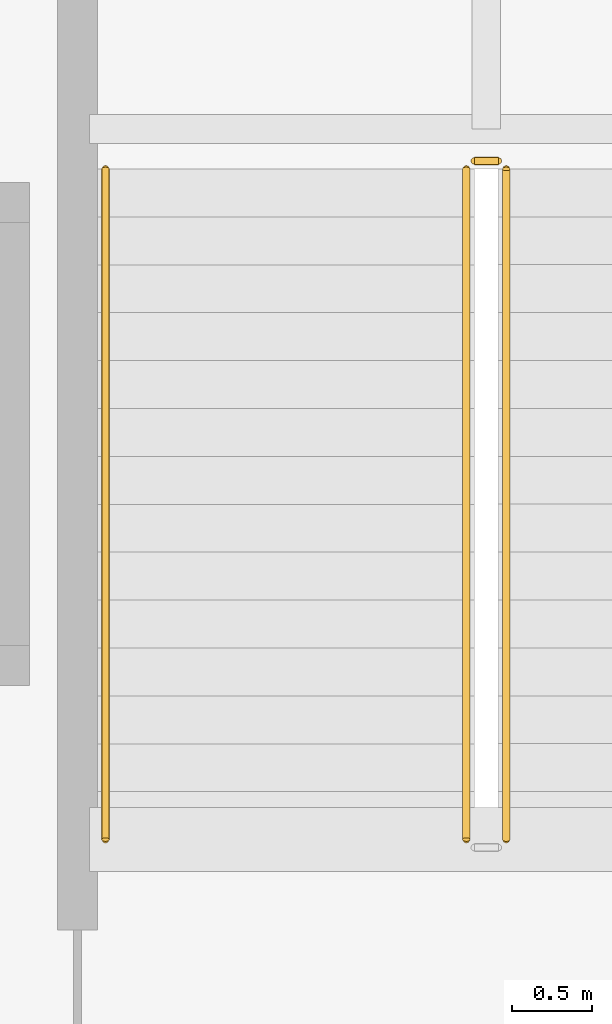
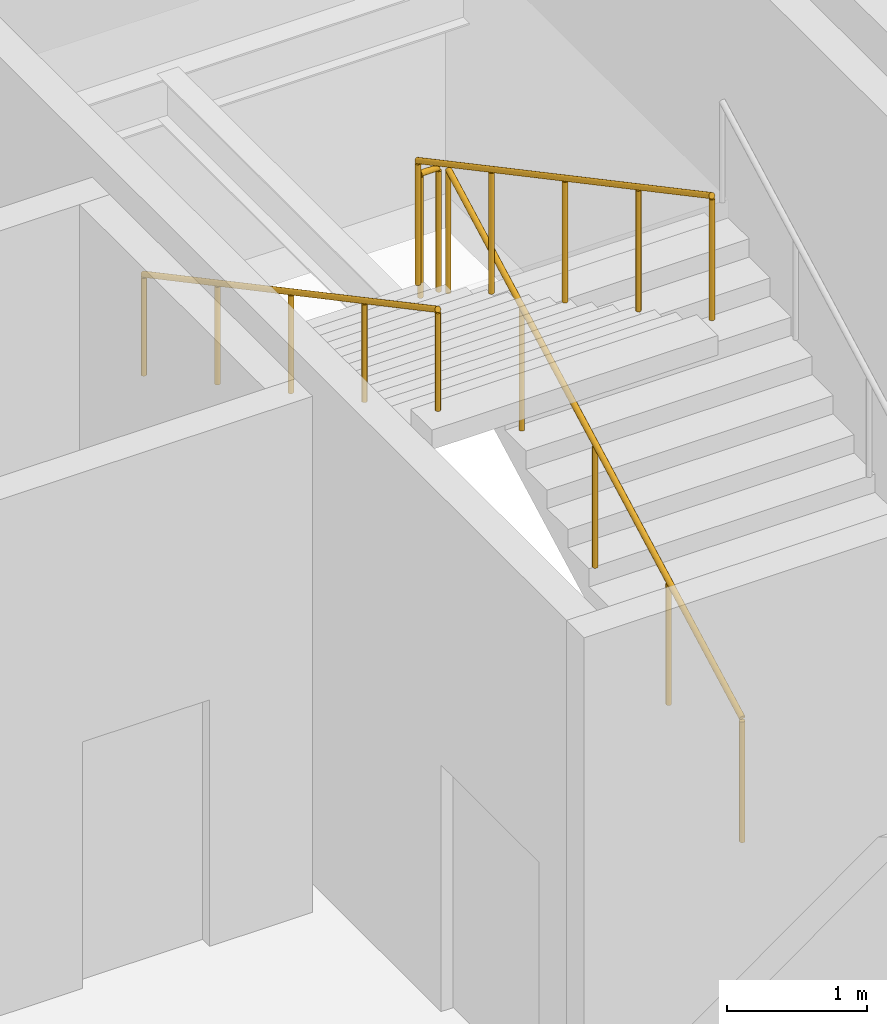
# One storey, part 96 of 104: 4 railings.
"""IFC4 building model written with IfcOpenShell, lengths in metres."""

import ifcopenshell
import ifcopenshell.guid

model = None  # the IFC model being written
_history = None  # IfcOwnerHistory: only IFC2X3 demands one
_inside = {}  # id of a spatial element -> (the spatial element, [elements in it])
_under = {}  # id of a project, library or spatial element -> (it, [spatial elements below it])
_declared = {}  # id of a project -> (the project, [libraries it declares])
_typed = {}  # id of a type object -> (the type object, [elements of that type])
_made_of = {}  # id of a material, layer set ... -> (it, [elements and type objects made of it])


def new_model(schema):
    """Start an empty IFC model of exactly this schema.

    Asked for "IFC4X3", IfcOpenShell would pick the latest addendum, in which some entities
    have other attributes; the version numbers below select the first issue.
    IFC2X3 requires an IfcOwnerHistory on every rooted entity: one is made here for all.
    """
    global model, _history
    if schema == "IFC4X3":
        model = ifcopenshell.file(schema_version=(4, 3, 0, 0))
    else:
        model = ifcopenshell.file(schema=schema)
    _inside.clear()
    _under.clear()
    _declared.clear()
    _typed.clear()
    _made_of.clear()
    _history = None
    if model.schema == "IFC2X3":
        org = make("IfcOrganization", Name="unknown")
        user = make(
            "IfcPersonAndOrganization",
            ThePerson=make("IfcPerson", FamilyName="unknown"),
            TheOrganization=org,
        )
        app = make(
            "IfcApplication",
            ApplicationDeveloper=org,
            Version="unknown",
            ApplicationFullName="unknown",
            ApplicationIdentifier="unknown",
        )
        _history = make(
            "IfcOwnerHistory",
            OwningUser=user,
            OwningApplication=app,
            ChangeAction="ADDED",
            CreationDate=0,
        )
    return model


def make(cls, **values):
    """One entity of the class cls with the attributes given. An attribute that is None is left unset."""
    return model.create_entity(
        cls, **{name: value for name, value in values.items() if value is not None}
    )


def rooted(cls, **values):
    """An entity with a GlobalId (a new one), such as an element, a storey or a relation."""
    return make(cls, GlobalId=ifcopenshell.guid.new(), OwnerHistory=_history, **values)


def si_unit(unit_type, name, prefix=None):
    """IfcSIUnit, for example si_unit("LENGTHUNIT", "METRE", prefix="MILLI")."""
    return make("IfcSIUnit", UnitType=unit_type, Prefix=prefix, Name=name)


def assignment(units):
    """IfcUnitAssignment: the units of a project."""
    return None if units is None else make("IfcUnitAssignment", Units=units)


def point(xyz):
    """IfcCartesianPoint."""
    return None if xyz is None else make("IfcCartesianPoint", Coordinates=xyz)


def direction(xyz):
    """IfcDirection."""
    return None if xyz is None else make("IfcDirection", DirectionRatios=xyz)


def frame(location, z_axis=None, x_axis=None):
    """IfcAxis2Placement3D, a coordinate frame: its origin and axes. An axis left out is left unset."""
    return make(
        "IfcAxis2Placement3D",
        Location=point(location),
        Axis=direction(z_axis),
        RefDirection=direction(x_axis),
    )


def frame_2d(location, x_axis=None):
    """IfcAxis2Placement2D, a coordinate frame in the plane: its origin and x axis."""
    return make(
        "IfcAxis2Placement2D", Location=point(location), RefDirection=direction(x_axis)
    )


def origin():
    """The frame at (0, 0, 0) with its axes left unset."""
    return frame((0.0, 0.0, 0.0))


def origin_2d():
    """The frame at (0, 0) in the plane with its x axis left unset."""
    return frame_2d((0.0, 0.0))


def place(relative_to, where):
    """IfcLocalPlacement: puts the frame where relative to a parent placement (None: the world)."""
    return make(
        "IfcLocalPlacement", PlacementRelTo=relative_to, RelativePlacement=where
    )


def context(
    kind, dimensions, precision=None, world=None, true_north=None, identifier=None
):
    """IfcGeometricRepresentationContext, for example the 3D "Model" context."""
    return make(
        "IfcGeometricRepresentationContext",
        ContextIdentifier=identifier,
        ContextType=kind,
        CoordinateSpaceDimension=dimensions,
        Precision=precision,
        WorldCoordinateSystem=world,
        TrueNorth=true_north,
    )


def subcontext(parent, identifier, kind, view, scale=None):
    """IfcGeometricRepresentationSubContext, for example "Body" below "Model"."""
    return make(
        "IfcGeometricRepresentationSubContext",
        ContextIdentifier=identifier,
        ContextType=kind,
        ParentContext=parent,
        TargetScale=scale,
        TargetView=view,
    )


def project(units=None, contexts=None):
    """IfcProject with its units and contexts."""
    return rooted(
        "IfcProject",
        Name="project",
        RepresentationContexts=contexts,
        UnitsInContext=assignment(units),
    )


def spatial(cls, under=None, at=None, **own):
    """A site, building, storey or space (cls), placed at a placement, below another one or the project."""
    s = rooted(cls, ObjectPlacement=at, **own)
    if under is not None:
        _under.setdefault(under.id(), (under, []))[1].append(s)
    return s


def profile(cls, at=None, kind="AREA", **sizes):
    """A parametric profile (cls). Its sizes go by their IFC names, for example OverallWidth=200.0."""
    return make(cls, ProfileType=kind, Position=at, **sizes)


def circle(**sizes):
    """IfcCircleProfileDef."""
    return profile("IfcCircleProfileDef", **sizes)


def extrude(swept, where, along, depth):
    """IfcExtrudedAreaSolid: the profile swept, set in the frame where, extruded along a direction by depth."""
    return make(
        "IfcExtrudedAreaSolid",
        SweptArea=swept,
        Position=where,
        ExtrudedDirection=direction(along),
        Depth=depth,
    )


def shape(context_of_items, identifier, shape_type, items):
    """IfcShapeRepresentation: the items that make up one representation, for example the "Body"."""
    return make(
        "IfcShapeRepresentation",
        ContextOfItems=context_of_items,
        RepresentationIdentifier=identifier,
        RepresentationType=shape_type,
        Items=items,
    )


def material(Name=None, Category=None):
    """IfcMaterial."""
    return make("IfcMaterial", Name=Name, Category=Category)


def made_of(thing, what):
    """Note that an element or type object is made of a material, layer set ...; save() writes the relation."""
    if what is not None:
        _made_of.setdefault(what.id(), (what, []))[1].append(thing)
    return thing


def type_object(cls, material=None, **own):
    """A type object (cls), such as IfcWallType, which elements share."""
    return made_of(rooted(cls, **own), material)


def element(
    cls,
    number,
    at=None,
    inside=None,
    cuts=None,
    type_object=None,
    material=None,
    context=None,
    identifier="Body",
    shape_type=None,
    held_by="IfcProductDefinitionShape",
    body=None,
    shapes=None,
    **own,
):
    """One element of the class cls, such as IfcWall. Its Tag is "e" and its number.

    at: its placement. inside: the storey or other place that contains it. cuts: it is an
    opening in that element (IfcRelVoidsElement). A single representation is given by context,
    identifier, shape_type and body (its items); several are given by shapes. held_by: the class
    of the entity that holds the representations. save() writes the other relations.
    """
    e = rooted(cls, Tag="e%d" % number, ObjectPlacement=at, **own)
    if body is not None:
        shapes = [shape(context, identifier, shape_type, body)]
    if shapes is not None:
        e.Representation = make(held_by, Representations=shapes)
    if inside is not None:
        _inside.setdefault(inside.id(), (inside, []))[1].append(e)
    if cuts is not None:
        rooted(
            "IfcRelVoidsElement", RelatingBuildingElement=cuts, RelatedOpeningElement=e
        )
    if type_object is not None:
        _typed.setdefault(type_object.id(), (type_object, []))[1].append(e)
    return made_of(e, material)


def aggregate(whole, parts):
    """IfcRelAggregates: a whole, such as a stair, and the parts it consists of."""
    return rooted("IfcRelAggregates", RelatingObject=whole, RelatedObjects=parts)


def save(model, path):
    """Write the relations noted so far, then the file.

    IfcRelAggregates (storeys below a building ...), IfcRelContainedInSpatialStructure (elements
    in a storey), IfcRelDefinesByType, IfcRelAssociatesMaterial and IfcRelDeclares: one each for
    every whole, place, type object, material and project.
    """
    for whole, parts in _under.values():
        aggregate(whole, parts)
    for where, things in _inside.values():
        rooted(
            "IfcRelContainedInSpatialStructure",
            RelatedElements=things,
            RelatingStructure=where,
        )
    for kind, things in _typed.values():
        rooted("IfcRelDefinesByType", RelatedObjects=things, RelatingType=kind)
    for what, things in _made_of.values():
        rooted("IfcRelAssociatesMaterial", RelatedObjects=things, RelatingMaterial=what)
    for by, libraries in _declared.values():
        rooted("IfcRelDeclares", RelatingContext=by, RelatedDefinitions=libraries)
    model.write(path)


model = new_model("IFC4")

# Units and contexts
model_context = context("Model", 3, precision=1e-05, world=origin(), true_north=direction((0.0, 1.0)))
body_context = subcontext(model_context, "Body", "Model", "MODEL_VIEW")
ifc_project = project(units=[si_unit("LENGTHUNIT", "METRE"), si_unit("AREAUNIT", "SQUARE_METRE"), si_unit("VOLUMEUNIT", "CUBIC_METRE"), si_unit("PLANEANGLEUNIT", "RADIAN"), si_unit("MASSUNIT", "GRAM", prefix="KILO")], contexts=[model_context])

# Site, building, storey
site_placement = place(None, origin())
site = spatial("IfcSite", under=ifc_project, at=site_placement, CompositionType="ELEMENT")
building_placement = place(site_placement, origin())
building = spatial("IfcBuilding", under=site, at=building_placement, Name="Koshinbarg Plaza Stadium", CompositionType="ELEMENT")
storey_placement = place(building_placement, frame((0.0, 0.0, 19.800048828125)))
storey = spatial("IfcBuildingStorey", under=building, at=storey_placement, Name="L04", CompositionType="ELEMENT", Elevation=19.800048828125)

# Railings
ifc_material_1 = material(Name="Galvanized painted steel guardrail", Category="steel")
railing_type_1 = type_object("IfcRailingType", Name="RL-GUARD-1100", PredefinedType="GUARDRAIL", material=ifc_material_1)
railing_1_placement = place(storey_placement, frame((214.760009765625, 58.760009765625, 0.159912109375)))
element("IfcRailing", 1, at=railing_1_placement, inside=storey, type_object=railing_type_1, Name="L04 C08 stair guard 1", PredefinedType="GUARDRAIL", context=body_context, shape_type="SweptSolid", body=[
    extrude(circle(Radius=0.02392578125, at=origin_2d()), frame((0.0, 0.0, 1.076171875), z_axis=(0.0, 0.882351521365, 0.470590897432), x_axis=(-1.0, 0.0, 0.0)), (0.0, 0.0, 1.0), 4.760009765625),
    extrude(circle(Radius=0.02099609375, at=origin_2d()), origin(), (0.0, 0.0, 1.0), 1.052001953125),
    extrude(circle(Radius=0.02099609375, at=origin_2d()), frame((0.0, 1.050048828125, 0.56005859375)), (0.0, 0.0, 1.0), 1.052001953125),
    extrude(circle(Radius=0.02099609375, at=origin_2d()), frame((0.0, 2.10009765625, 1.1201171875)), (0.0, 0.0, 1.0), 1.052001953125),
    extrude(circle(Radius=0.02099609375, at=origin_2d()), frame((0.0, 3.14990234375, 1.679931640625)), (0.0, 0.0, 1.0), 1.052001953125),
    extrude(circle(Radius=0.02099609375, at=origin_2d()), frame((0.0, 4.199951171875, 2.239990234375)), (0.0, 0.0, 1.0), 1.052001953125),
])
railing_2_placement = place(storey_placement, frame((214.7099609375, 63.010009765625, 2.39990234375)))
element("IfcRailing", 2, at=railing_2_placement, inside=storey, type_object=railing_type_1, Name="L04 C08 stair guard 2", PredefinedType="GUARDRAIL", context=body_context, shape_type="SweptSolid", body=[
    extrude(circle(Radius=0.02392578125, at=origin_2d()), frame((0.0, 0.0, 1.076171875), z_axis=(-1.0, 0.0, 0.0), x_axis=(0.0, -1.0, 0.0)), (0.0, 0.0, 1.0), 0.14990234375),
    extrude(circle(Radius=0.02099609375, at=origin_2d()), origin(), (0.0, 0.0, 1.0), 1.052001953125),
    extrude(circle(Radius=0.02099609375, at=origin_2d()), frame((-0.14990234375, 0.0, 0.0)), (0.0, 0.0, 1.0), 1.052001953125),
])
railing_3_placement = place(storey_placement, frame((214.510009765625, 62.9599609375, 2.56005859375)))
element("IfcRailing", 3, at=railing_3_placement, inside=storey, type_object=railing_type_1, Name="L04 C08 stair guard 3", PredefinedType="GUARDRAIL", context=body_context, shape_type="SweptSolid", body=[
    extrude(circle(Radius=0.02392578125, at=origin_2d()), frame((0.0, 0.0, 1.076171875), z_axis=(0.0, -0.882351521365, 0.470590897432), x_axis=(1.0, 0.0, 0.0)), (0.0, 0.0, 1.0), 4.760009765625),
    extrude(circle(Radius=0.02099609375, at=origin_2d()), origin(), (0.0, 0.0, 1.0), 1.052001953125),
    extrude(circle(Radius=0.02099609375, at=origin_2d()), frame((0.0, -1.050048828125, 0.56005859375)), (0.0, 0.0, 1.0), 1.052001953125),
    extrude(circle(Radius=0.02099609375, at=origin_2d()), frame((0.0, -2.10009765625, 1.1201171875)), (0.0, 0.0, 1.0), 1.052001953125),
    extrude(circle(Radius=0.02099609375, at=origin_2d()), frame((0.0, -3.14990234375, 1.679931640625)), (0.0, 0.0, 1.0), 1.052001953125),
    extrude(circle(Radius=0.02099609375, at=origin_2d()), frame((0.0, -4.199951171875, 2.239990234375)), (0.0, 0.0, 1.0), 1.052001953125),
])
ifc_material_2 = material(Name="Brushed stainless steel handrail", Category="steel")
railing_type_2 = type_object("IfcRailingType", Name="RL-HAND-900", PredefinedType="HANDRAIL", material=ifc_material_2)
railing_4_placement = place(storey_placement, frame((212.25, 62.9599609375, 2.56005859375)))
element("IfcRailing", 4, at=railing_4_placement, inside=storey, type_object=railing_type_2, Name="L04 C08 stair handrail 2", PredefinedType="HANDRAIL", context=body_context, shape_type="SweptSolid", body=[
    extrude(circle(Radius=0.02392578125, at=origin_2d()), frame((0.0, 0.0, 0.8759765625), z_axis=(0.0, -0.882351521365, 0.470590897432), x_axis=(1.0, 0.0, 0.0)), (0.0, 0.0, 1.0), 4.760009765625),
    extrude(circle(Radius=0.02099609375, at=origin_2d()), origin(), (0.0, 0.0, 1.0), 0.851806640625),
    extrude(circle(Radius=0.02099609375, at=origin_2d()), frame((0.0, -1.050048828125, 0.56005859375)), (0.0, 0.0, 1.0), 0.851806640625),
    extrude(circle(Radius=0.02099609375, at=origin_2d()), frame((0.0, -2.10009765625, 1.1201171875)), (0.0, 0.0, 1.0), 0.851806640625),
    extrude(circle(Radius=0.02099609375, at=origin_2d()), frame((0.0, -3.14990234375, 1.679931640625)), (0.0, 0.0, 1.0), 0.851806640625),
    extrude(circle(Radius=0.02099609375, at=origin_2d()), frame((0.0, -4.199951171875, 2.239990234375)), (0.0, 0.0, 1.0), 0.851806640625),
])

save(model, "model.ifc")
